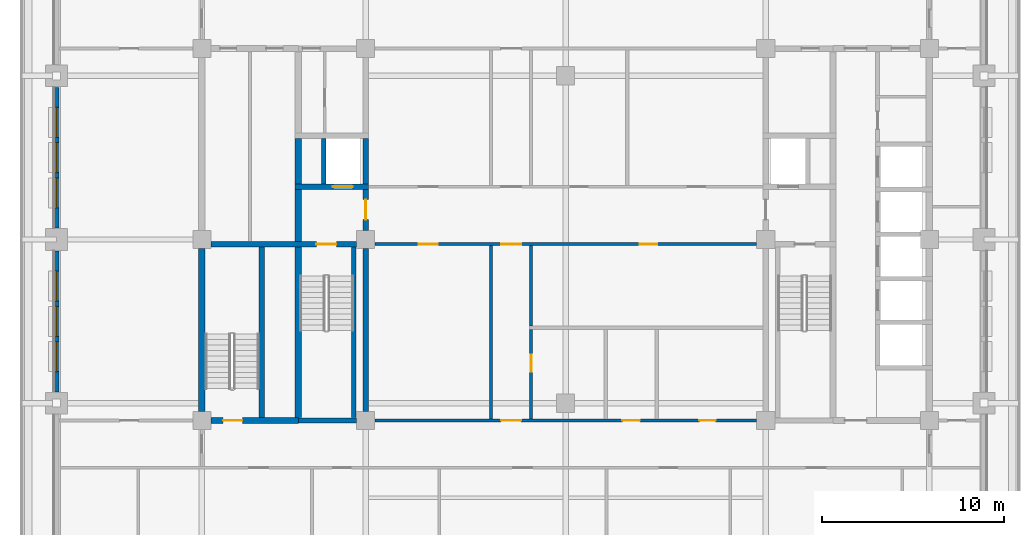
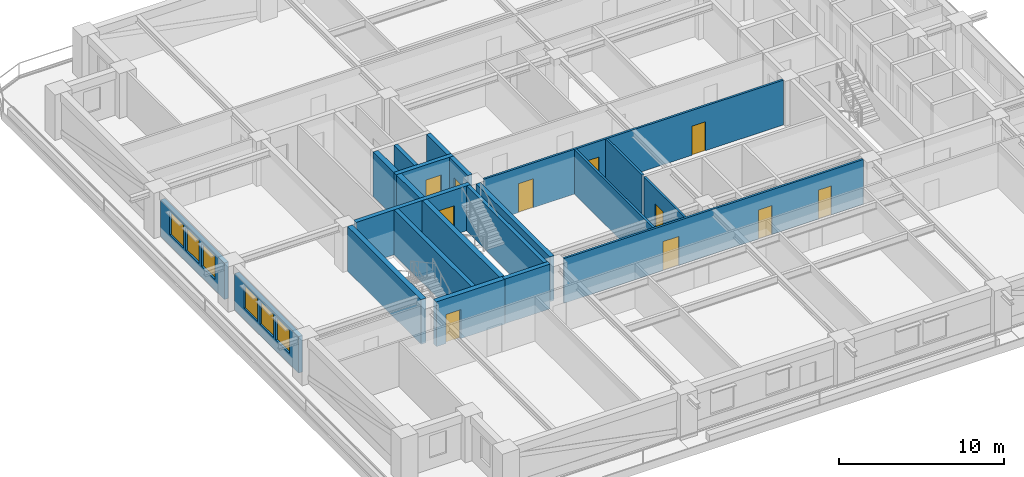
# One storey, part 3 of 16: 21 walls, 11 doors, 6 windows, 17 openings.
"""IFC4 building model written with IfcOpenShell, lengths in metres."""

import ifcopenshell
import ifcopenshell.guid

model = None  # the IFC model being written
_history = None  # IfcOwnerHistory: only IFC2X3 demands one
_inside = {}  # id of a spatial element -> (the spatial element, [elements in it])
_under = {}  # id of a project, library or spatial element -> (it, [spatial elements below it])
_declared = {}  # id of a project -> (the project, [libraries it declares])
_typed = {}  # id of a type object -> (the type object, [elements of that type])
_made_of = {}  # id of a material, layer set ... -> (it, [elements and type objects made of it])


def new_model(schema):
    """Start an empty IFC model of exactly this schema.

    Asked for "IFC4X3", IfcOpenShell would pick the latest addendum, in which some entities
    have other attributes; the version numbers below select the first issue.
    IFC2X3 requires an IfcOwnerHistory on every rooted entity: one is made here for all.
    """
    global model, _history
    if schema == "IFC4X3":
        model = ifcopenshell.file(schema_version=(4, 3, 0, 0))
    else:
        model = ifcopenshell.file(schema=schema)
    _inside.clear()
    _under.clear()
    _declared.clear()
    _typed.clear()
    _made_of.clear()
    _history = None
    if model.schema == "IFC2X3":
        org = make("IfcOrganization", Name="unknown")
        user = make(
            "IfcPersonAndOrganization",
            ThePerson=make("IfcPerson", FamilyName="unknown"),
            TheOrganization=org,
        )
        app = make(
            "IfcApplication",
            ApplicationDeveloper=org,
            Version="unknown",
            ApplicationFullName="unknown",
            ApplicationIdentifier="unknown",
        )
        _history = make(
            "IfcOwnerHistory",
            OwningUser=user,
            OwningApplication=app,
            ChangeAction="ADDED",
            CreationDate=0,
        )
    return model


def make(cls, **values):
    """One entity of the class cls with the attributes given. An attribute that is None is left unset."""
    return model.create_entity(
        cls, **{name: value for name, value in values.items() if value is not None}
    )


def rooted(cls, **values):
    """An entity with a GlobalId (a new one), such as an element, a storey or a relation."""
    return make(cls, GlobalId=ifcopenshell.guid.new(), OwnerHistory=_history, **values)


def si_unit(unit_type, name, prefix=None):
    """IfcSIUnit, for example si_unit("LENGTHUNIT", "METRE", prefix="MILLI")."""
    return make("IfcSIUnit", UnitType=unit_type, Prefix=prefix, Name=name)


def assignment(units):
    """IfcUnitAssignment: the units of a project."""
    return None if units is None else make("IfcUnitAssignment", Units=units)


def point(xyz):
    """IfcCartesianPoint."""
    return None if xyz is None else make("IfcCartesianPoint", Coordinates=xyz)


def direction(xyz):
    """IfcDirection."""
    return None if xyz is None else make("IfcDirection", DirectionRatios=xyz)


def frame(location, z_axis=None, x_axis=None):
    """IfcAxis2Placement3D, a coordinate frame: its origin and axes. An axis left out is left unset."""
    return make(
        "IfcAxis2Placement3D",
        Location=point(location),
        Axis=direction(z_axis),
        RefDirection=direction(x_axis),
    )


def frame_2d(location, x_axis=None):
    """IfcAxis2Placement2D, a coordinate frame in the plane: its origin and x axis."""
    return make(
        "IfcAxis2Placement2D", Location=point(location), RefDirection=direction(x_axis)
    )


def origin():
    """The frame at (0, 0, 0) with its axes left unset."""
    return frame((0.0, 0.0, 0.0))


def place(relative_to, where):
    """IfcLocalPlacement: puts the frame where relative to a parent placement (None: the world)."""
    return make(
        "IfcLocalPlacement", PlacementRelTo=relative_to, RelativePlacement=where
    )


def context(
    kind, dimensions, precision=None, world=None, true_north=None, identifier=None
):
    """IfcGeometricRepresentationContext, for example the 3D "Model" context."""
    return make(
        "IfcGeometricRepresentationContext",
        ContextIdentifier=identifier,
        ContextType=kind,
        CoordinateSpaceDimension=dimensions,
        Precision=precision,
        WorldCoordinateSystem=world,
        TrueNorth=true_north,
    )


def subcontext(parent, identifier, kind, view, scale=None):
    """IfcGeometricRepresentationSubContext, for example "Body" below "Model"."""
    return make(
        "IfcGeometricRepresentationSubContext",
        ContextIdentifier=identifier,
        ContextType=kind,
        ParentContext=parent,
        TargetScale=scale,
        TargetView=view,
    )


def project(units=None, contexts=None):
    """IfcProject with its units and contexts."""
    return rooted(
        "IfcProject",
        Name="project",
        RepresentationContexts=contexts,
        UnitsInContext=assignment(units),
    )


def spatial(cls, under=None, at=None, **own):
    """A site, building, storey or space (cls), placed at a placement, below another one or the project."""
    s = rooted(cls, ObjectPlacement=at, **own)
    if under is not None:
        _under.setdefault(under.id(), (under, []))[1].append(s)
    return s


def profile(cls, at=None, kind="AREA", **sizes):
    """A parametric profile (cls). Its sizes go by their IFC names, for example OverallWidth=200.0."""
    return make(cls, ProfileType=kind, Position=at, **sizes)


def rectangle(**sizes):
    """IfcRectangleProfileDef."""
    return profile("IfcRectangleProfileDef", **sizes)


def extrude(swept, where, along, depth):
    """IfcExtrudedAreaSolid: the profile swept, set in the frame where, extruded along a direction by depth."""
    return make(
        "IfcExtrudedAreaSolid",
        SweptArea=swept,
        Position=where,
        ExtrudedDirection=direction(along),
        Depth=depth,
    )


def shape(context_of_items, identifier, shape_type, items):
    """IfcShapeRepresentation: the items that make up one representation, for example the "Body"."""
    return make(
        "IfcShapeRepresentation",
        ContextOfItems=context_of_items,
        RepresentationIdentifier=identifier,
        RepresentationType=shape_type,
        Items=items,
    )


def material(Name=None, Category=None):
    """IfcMaterial."""
    return make("IfcMaterial", Name=Name, Category=Category)


def layer(
    of_material, thickness, ventilated=None, Name=None, Category=None, Priority=None
):
    """IfcMaterialLayer: one layer of a wall or slab, of a material (None: an air gap)."""
    return make(
        "IfcMaterialLayer",
        Material=of_material,
        LayerThickness=thickness,
        IsVentilated=ventilated,
        Name=Name,
        Category=Category,
        Priority=Priority,
    )


def layer_set(layers, Name=None):
    """IfcMaterialLayerSet."""
    return make("IfcMaterialLayerSet", MaterialLayers=layers, LayerSetName=Name)


def made_of(thing, what):
    """Note that an element or type object is made of a material, layer set ...; save() writes the relation."""
    if what is not None:
        _made_of.setdefault(what.id(), (what, []))[1].append(thing)
    return thing


def type_object(cls, material=None, **own):
    """A type object (cls), such as IfcWallType, which elements share."""
    return made_of(rooted(cls, **own), material)


def element(
    cls,
    number,
    at=None,
    inside=None,
    cuts=None,
    type_object=None,
    material=None,
    context=None,
    identifier="Body",
    shape_type=None,
    held_by="IfcProductDefinitionShape",
    body=None,
    shapes=None,
    **own,
):
    """One element of the class cls, such as IfcWall. Its Tag is "e" and its number.

    at: its placement. inside: the storey or other place that contains it. cuts: it is an
    opening in that element (IfcRelVoidsElement). A single representation is given by context,
    identifier, shape_type and body (its items); several are given by shapes. held_by: the class
    of the entity that holds the representations. save() writes the other relations.
    """
    e = rooted(cls, Tag="e%d" % number, ObjectPlacement=at, **own)
    if body is not None:
        shapes = [shape(context, identifier, shape_type, body)]
    if shapes is not None:
        e.Representation = make(held_by, Representations=shapes)
    if inside is not None:
        _inside.setdefault(inside.id(), (inside, []))[1].append(e)
    if cuts is not None:
        rooted(
            "IfcRelVoidsElement", RelatingBuildingElement=cuts, RelatedOpeningElement=e
        )
    if type_object is not None:
        _typed.setdefault(type_object.id(), (type_object, []))[1].append(e)
    return made_of(e, material)


def fill(opening, filler):
    """IfcRelFillsElement: the door or window that sits in an opening."""
    return rooted(
        "IfcRelFillsElement",
        RelatingOpeningElement=opening,
        RelatedBuildingElement=filler,
    )


def aggregate(whole, parts):
    """IfcRelAggregates: a whole, such as a stair, and the parts it consists of."""
    return rooted("IfcRelAggregates", RelatingObject=whole, RelatedObjects=parts)


def save(model, path):
    """Write the relations noted so far, then the file.

    IfcRelAggregates (storeys below a building ...), IfcRelContainedInSpatialStructure (elements
    in a storey), IfcRelDefinesByType, IfcRelAssociatesMaterial and IfcRelDeclares: one each for
    every whole, place, type object, material and project.
    """
    for whole, parts in _under.values():
        aggregate(whole, parts)
    for where, things in _inside.values():
        rooted(
            "IfcRelContainedInSpatialStructure",
            RelatedElements=things,
            RelatingStructure=where,
        )
    for kind, things in _typed.values():
        rooted("IfcRelDefinesByType", RelatedObjects=things, RelatingType=kind)
    for what, things in _made_of.values():
        rooted("IfcRelAssociatesMaterial", RelatedObjects=things, RelatingMaterial=what)
    for by, libraries in _declared.values():
        rooted("IfcRelDeclares", RelatingContext=by, RelatedDefinitions=libraries)
    model.write(path)


model = new_model("IFC4")

# Units and contexts
model_context = context("Model", 3, precision=1e-05, world=origin(), true_north=direction((0.0, 1.0)))
body_context = subcontext(model_context, "Body", "Model", "MODEL_VIEW")
ifc_project = project(units=[si_unit("LENGTHUNIT", "METRE"), si_unit("AREAUNIT", "SQUARE_METRE"), si_unit("VOLUMEUNIT", "CUBIC_METRE"), si_unit("PLANEANGLEUNIT", "RADIAN"), si_unit("MASSUNIT", "GRAM", prefix="KILO")], contexts=[model_context])

# Site, building, storey
site_placement = place(None, origin())
site = spatial("IfcSite", under=ifc_project, at=site_placement, CompositionType="ELEMENT")
building_placement = place(site_placement, origin())
building = spatial("IfcBuilding", under=site, at=building_placement, Name="Zulmaris Gate Convention Tower", CompositionType="ELEMENT")
storey_placement = place(building_placement, frame((0.0, 0.0, 124.919921875)))
storey = spatial("IfcBuildingStorey", under=building, at=storey_placement, Name="L31", CompositionType="ELEMENT", Elevation=124.919921875)

# Walls
ifc_material_1 = material(Name="Concrete C50/60", Category="concrete")
ifc_layer_1 = layer(ifc_material_1, 0.25, Name="Concrete C50/60")
ifc_layer_set_1 = layer_set([ifc_layer_1], Name="Concrete C50/60")
wall_type_1 = type_object("IfcWallType", Name="CORE-250", PredefinedType="SOLIDWALL", material=ifc_layer_set_1)
wall_1_placement = place(storey_placement, frame((-13.300048828125, 3.052001953125, 0.0), z_axis=(0.0, 0.0, 1.0), x_axis=(0.0, 1.0, 0.0)))
element("IfcWall", 1, at=wall_1_placement, inside=storey, type_object=wall_type_1, Name="WL-L31-041", PredefinedType="SOLIDWALL", context=body_context, shape_type="SweptSolid", body=[
    extrude(rectangle(XDim=2.49609375, YDim=0.25, at=frame_2d((1.248046875, 0.0))), origin(), (0.0, 0.0, 1.0), 3.31982421875),
])
wall_2_placement = place(storey_placement, frame((-11.64990234375, -9.798095703125, 0.0), z_axis=(0.0, 0.0, 1.0), x_axis=(0.0, 1.0, 0.0)))
element("IfcWall", 2, at=wall_2_placement, inside=storey, type_object=wall_type_1, Name="WL-L31-042", PredefinedType="SOLIDWALL", context=body_context, shape_type="SweptSolid", body=[
    extrude(rectangle(XDim=9.39599609375, YDim=0.25, at=frame_2d((4.697998046875, 0.0))), origin(), (0.0, 0.0, 1.0), 3.31982421875),
])
ifc_layer_2 = layer(ifc_material_1, 0.300048828125, Name="Concrete C50/60")
ifc_layer_set_2 = layer_set([ifc_layer_2], Name="Concrete C50/60")
wall_type_2 = type_object("IfcWallType", Name="CORE-300", PredefinedType="SHEAR", material=ifc_layer_set_2)
wall_3_placement = place(storey_placement, frame((-14.699951171875, -9.949951171875, 0.0), z_axis=(0.0, 0.0, 1.0), x_axis=(1.0, 0.0, 0.0)))
element("IfcWall", 3, at=wall_3_placement, inside=storey, type_object=wall_type_2, Name="WL-L31-002", PredefinedType="SHEAR", context=body_context, shape_type="SweptSolid", body=[
    extrude(rectangle(XDim=3.196044921875, YDim=0.300048828125, at=frame_2d((1.59814453125, 0.0))), origin(), (0.0, 0.0, 1.0), 3.31982421875),
])

# Wall, opening, door
wall_4_placement = place(storey_placement, frame((-19.49609375, -0.25, 0.0), z_axis=(0.0, 0.0, 1.0), x_axis=(1.0, 0.0, 0.0)))
wall_4 = element("IfcWall", 4, at=wall_4_placement, inside=storey, type_object=wall_type_2, Name="WL-L31-008", PredefinedType="SHEAR", context=body_context, shape_type="SweptSolid", body=[
    extrude(rectangle(XDim=7.9921875, YDim=0.300048828125, at=frame_2d((3.99609375, 0.0))), origin(), (0.0, 0.0, 1.0), 3.31982421875),
])
opening_1_placement = place(wall_4_placement, frame((5.7958984375, 0.0, 0.0)))
opening_1 = element("IfcOpeningElement", 5, at=opening_1_placement, cuts=wall_4, Name="Opening D-08", PredefinedType="OPENING", context=body_context, shape_type="SweptSolid", body=[
    extrude(rectangle(XDim=1.10009765625, YDim=2.14990234375, at=frame_2d((0.550048828125, 1.074951171875))), frame((0.0, 0.16015625, 0.0), z_axis=(0.0, -1.0, 0.0), x_axis=(1.0, 0.0, 0.0)), (0.0, 0.0, 1.0), 0.320068359375),
])
ifc_material_2 = material(Name="Fire-Rated Steel", Category="steel")
door_type_1 = type_object("IfcDoorType", Name="DR-1100-FD", OperationType="NOTDEFINED", PredefinedType="DOOR", material=ifc_material_2)
door_1_placement = place(opening_1_placement, origin())
door_1 = element("IfcDoor", 6, at=door_1_placement, inside=storey, type_object=door_type_1, Name="L31 Exit Stair ST-1 Door 01", OperationType="SINGLE_SWING_LEFT", OverallHeight=2.14990234375, OverallWidth=1.10009765625, PredefinedType="DOOR", context=body_context, shape_type="SweptSolid", body=[
    extrude(rectangle(XDim=1.10009765625, YDim=2.14990234375, at=frame_2d((0.550048828125, 1.074951171875))), frame((0.0, 0.02490234375, 0.0), z_axis=(0.0, -1.0, 0.0), x_axis=(1.0, 0.0, 0.0)), (0.0, 0.0, 1.0), 0.050048828125),
])
fill(opening_1, door_1)

wall_5_placement = place(storey_placement, frame((-14.875, 2.89990234375, 0.0), z_axis=(0.0, 0.0, 1.0), x_axis=(1.0, 0.0, 0.0)))
wall_5 = element("IfcWall", 7, at=wall_5_placement, inside=storey, type_object=wall_type_2, Name="WL-L31-012", PredefinedType="SHEAR", context=body_context, shape_type="SweptSolid", body=[
    extrude(rectangle(XDim=4.02490234375, YDim=0.300048828125, at=frame_2d((2.012451171875, 0.0))), origin(), (0.0, 0.0, 1.0), 3.31982421875),
])
opening_2_placement = place(wall_5_placement, frame((2.074951171875, 0.0, 0.0)))
opening_2 = element("IfcOpeningElement", 8, at=opening_2_placement, cuts=wall_5, Name="Opening D-06", PredefinedType="OPENING", context=body_context, shape_type="SweptSolid", body=[
    extrude(rectangle(XDim=1.10009765625, YDim=2.199951171875, at=frame_2d((0.550048828125, 1.10009765625))), frame((0.0, 0.16015625, 0.0), z_axis=(0.0, -1.0, 0.0), x_axis=(1.0, 0.0, 0.0)), (0.0, 0.0, 1.0), 0.320068359375),
])
ifc_material_3 = material(Name="Brushed Stainless Steel", Category="steel")
door_type_2 = type_object("IfcDoorType", Name="LD-1100", OperationType="NOTDEFINED", PredefinedType="DOOR", material=ifc_material_3)
door_2_placement = place(opening_2_placement, origin())
door_2 = element("IfcDoor", 9, at=door_2_placement, inside=storey, type_object=door_type_2, Name="L31 Lift Landing Door LF-01 03", OperationType="SLIDING_TO_LEFT", OverallHeight=2.199951171875, OverallWidth=1.10009765625, PredefinedType="DOOR", context=body_context, shape_type="SweptSolid", body=[
    extrude(rectangle(XDim=1.10009765625, YDim=2.199951171875, at=frame_2d((0.550048828125, 1.10009765625))), frame((0.0, 0.02490234375, 0.0), z_axis=(0.0, -1.0, 0.0), x_axis=(1.0, 0.0, 0.0)), (0.0, 0.0, 1.0), 0.050048828125),
])
fill(opening_2, door_2)

# Walls
wall_6_placement = place(storey_placement, frame((-16.699951171875, -9.77294921875, 0.0), z_axis=(0.0, 0.0, 1.0), x_axis=(0.0, 1.0, 0.0)))
element("IfcWall", 10, at=wall_6_placement, inside=storey, type_object=wall_type_2, Name="WL-L31-036", PredefinedType="SHEAR", context=body_context, shape_type="SweptSolid", body=[
    extrude(rectangle(XDim=9.370849609375, YDim=0.300048828125, at=frame_2d((4.685546875, 0.0))), origin(), (0.0, 0.0, 1.0), 3.31982421875),
])
wall_7_placement = place(storey_placement, frame((-11.0, -9.446044921875, 0.0), z_axis=(0.0, 0.0, 1.0), x_axis=(0.0, 1.0, 0.0)))
element("IfcWall", 11, at=wall_7_placement, inside=storey, type_object=wall_type_2, Name="WL-L31-043", PredefinedType="SHEAR", context=body_context, shape_type="SweptSolid", body=[
    extrude(rectangle(XDim=8.942138671875, YDim=0.300048828125, at=frame_2d((4.47119140625, 0.0))), origin(), (0.0, 0.0, 1.0), 3.31982421875),
])

# Wall, opening, door
wall_8_placement = place(storey_placement, frame((-11.0, 0.50390625, 0.0), z_axis=(0.0, 0.0, 1.0), x_axis=(0.0, 1.0, 0.0)))
wall_8 = element("IfcWall", 12, at=wall_8_placement, inside=storey, type_object=wall_type_2, Name="WL-L31-044", PredefinedType="SHEAR", context=body_context, shape_type="SweptSolid", body=[
    extrude(rectangle(XDim=2.244140625, YDim=0.300048828125, at=frame_2d((1.1220703125, 0.0))), origin(), (0.0, 0.0, 1.0), 3.31982421875),
])
opening_3_placement = place(wall_8_placement, frame((0.595947265625, 0.0, 0.0)))
opening_3 = element("IfcOpeningElement", 13, at=opening_3_placement, cuts=wall_8, Name="Opening D-08", PredefinedType="OPENING", context=body_context, shape_type="SweptSolid", body=[
    extrude(rectangle(XDim=1.10009765625, YDim=2.14990234375, at=frame_2d((0.550048828125, 1.074951171875))), frame((0.0, 0.16015625, 0.0), z_axis=(0.0, -1.0, 0.0), x_axis=(1.0, 0.0, 0.0)), (0.0, 0.0, 1.0), 0.320068359375),
])
door_3_placement = place(opening_3_placement, origin())
door_3 = element("IfcDoor", 14, at=door_3_placement, inside=storey, type_object=door_type_1, Name="L31 West Firefighting Lobby Door 02", OperationType="SINGLE_SWING_RIGHT", OverallHeight=2.14990234375, OverallWidth=1.10009765625, PredefinedType="DOOR", context=body_context, shape_type="SweptSolid", body=[
    extrude(rectangle(XDim=1.10009765625, YDim=2.14990234375, at=frame_2d((0.550048828125, 1.074951171875))), frame((0.0, 0.02490234375, 0.0), z_axis=(0.0, -1.0, 0.0), x_axis=(1.0, 0.0, 0.0)), (0.0, 0.0, 1.0), 0.050048828125),
])
fill(opening_3, door_3)

# Wall
wall_9_placement = place(storey_placement, frame((-11.0, 3.052001953125, 0.0), z_axis=(0.0, 0.0, 1.0), x_axis=(0.0, 1.0, 0.0)))
element("IfcWall", 15, at=wall_9_placement, inside=storey, type_object=wall_type_2, Name="WL-L31-045", PredefinedType="SHEAR", context=body_context, shape_type="SweptSolid", body=[
    extrude(rectangle(XDim=2.49609375, YDim=0.300048828125, at=frame_2d((1.248046875, 0.0))), origin(), (0.0, 0.0, 1.0), 3.31982421875),
])

# Wall, opening, door
ifc_material_4 = material(Name="Concrete C55/67", Category="concrete")
ifc_layer_3 = layer(ifc_material_4, 0.35009765625, Name="Concrete C55/67")
ifc_layer_set_3 = layer_set([ifc_layer_3], Name="Concrete C55/67")
wall_type_3 = type_object("IfcWallType", Name="CORE-350", PredefinedType="SHEAR", material=ifc_layer_set_3)
wall_10_placement = place(storey_placement, frame((-19.49609375, -9.949951171875, 0.0), z_axis=(0.0, 0.0, 1.0), x_axis=(1.0, 0.0, 0.0)))
wall_10 = element("IfcWall", 16, at=wall_10_placement, inside=storey, type_object=wall_type_3, Name="WL-L31-001", PredefinedType="SHEAR", context=body_context, shape_type="SweptSolid", body=[
    extrude(rectangle(XDim=4.796142578125, YDim=0.35009765625, at=frame_2d((2.39794921875, 0.0))), origin(), (0.0, 0.0, 1.0), 3.31982421875),
])
opening_4_placement = place(wall_10_placement, frame((0.6708984375, 0.0, 0.0)))
opening_4 = element("IfcOpeningElement", 17, at=opening_4_placement, cuts=wall_10, Name="Opening D-09", PredefinedType="OPENING", context=body_context, shape_type="SweptSolid", body=[
    extrude(rectangle(XDim=1.050048828125, YDim=2.14990234375, at=frame_2d((0.52490234375, 1.074951171875))), frame((0.0, 0.18505859375, 0.0), z_axis=(0.0, -1.0, 0.0), x_axis=(1.0, 0.0, 0.0)), (0.0, 0.0, 1.0), 0.3701171875),
])
door_type_3 = type_object("IfcDoorType", Name="DR-1050-FD", OperationType="NOTDEFINED", PredefinedType="DOOR", material=ifc_material_2)
door_4_placement = place(opening_4_placement, origin())
door_4 = element("IfcDoor", 18, at=door_4_placement, inside=storey, type_object=door_type_3, Name="L31 Exit Stair ST-3 Door 10", OperationType="SINGLE_SWING_RIGHT", OverallHeight=2.14990234375, OverallWidth=1.050048828125, PredefinedType="DOOR", context=body_context, shape_type="SweptSolid", body=[
    extrude(rectangle(XDim=1.050048828125, YDim=2.14990234375, at=frame_2d((0.52490234375, 1.074951171875))), frame((0.0, 0.02490234375, 0.0), z_axis=(0.0, -1.0, 0.0), x_axis=(1.0, 0.0, 0.0)), (0.0, 0.0, 1.0), 0.050048828125),
])
fill(opening_4, door_4)

# Walls
wall_11_placement = place(storey_placement, frame((-20.0, -9.446044921875, 0.0), z_axis=(0.0, 0.0, 1.0), x_axis=(0.0, 1.0, 0.0)))
element("IfcWall", 19, at=wall_11_placement, inside=storey, type_object=wall_type_3, Name="WL-L31-034", PredefinedType="SHEAR", context=body_context, shape_type="SweptSolid", body=[
    extrude(rectangle(XDim=8.942138671875, YDim=0.35009765625, at=frame_2d((4.47119140625, 0.0))), origin(), (0.0, 0.0, 1.0), 3.31982421875),
])
wall_12_placement = place(storey_placement, frame((-14.699951171875, -9.77294921875, 0.0), z_axis=(0.0, 0.0, 1.0), x_axis=(0.0, 1.0, 0.0)))
element("IfcWall", 20, at=wall_12_placement, inside=storey, type_object=wall_type_3, Name="WL-L31-037", PredefinedType="SHEAR", context=body_context, shape_type="SweptSolid", body=[
    extrude(rectangle(XDim=9.370849609375, YDim=0.35009765625, at=frame_2d((4.685546875, 0.0))), origin(), (0.0, 0.0, 1.0), 3.31982421875),
])
wall_13_placement = place(storey_placement, frame((-14.699951171875, -0.097900390625, 0.0), z_axis=(0.0, 0.0, 1.0), x_axis=(0.0, 1.0, 0.0)))
element("IfcWall", 21, at=wall_13_placement, inside=storey, type_object=wall_type_3, Name="WL-L31-038", PredefinedType="SHEAR", context=body_context, shape_type="SweptSolid", body=[
    extrude(rectangle(XDim=2.845947265625, YDim=0.35009765625, at=frame_2d((1.4228515625, 0.0))), origin(), (0.0, 0.0, 1.0), 3.31982421875),
])
wall_14_placement = place(storey_placement, frame((-14.699951171875, 3.052001953125, 0.0), z_axis=(0.0, 0.0, 1.0), x_axis=(0.0, 1.0, 0.0)))
element("IfcWall", 22, at=wall_14_placement, inside=storey, type_object=wall_type_3, Name="WL-L31-039", PredefinedType="SHEAR", context=body_context, shape_type="SweptSolid", body=[
    extrude(rectangle(XDim=2.49609375, YDim=0.35009765625, at=frame_2d((1.248046875, 0.0))), origin(), (0.0, 0.0, 1.0), 3.31982421875),
])

# Wall, openings, doors
ifc_material_5 = material(Name="Gypsum Metal Stud Partition")
ifc_layer_4 = layer(ifc_material_5, 0.14990234375, Name="Gypsum Metal Stud Partition")
ifc_layer_set_4 = layer_set([ifc_layer_4], Name="Gypsum Metal Stud Partition")
wall_type_4 = type_object("IfcWallType", Name="PART-150", PredefinedType="PARTITIONING", material=ifc_layer_set_4)
wall_15_placement = place(storey_placement, frame((-10.493896484375, -9.949951171875, 0.0), z_axis=(0.0, 0.0, 1.0), x_axis=(1.0, 0.0, 0.0)))
wall_15 = element("IfcWall", 23, at=wall_15_placement, inside=storey, type_object=wall_type_4, Name="WL-L31-023", PredefinedType="PARTITIONING", context=body_context, shape_type="SweptSolid", body=[
    extrude(rectangle(XDim=20.98779296875, YDim=0.14990234375, at=frame_2d((10.493896484375, 0.0))), origin(), (0.0, 0.0, 1.0), 3.31982421875),
])
opening_5_placement = place(wall_15_placement, frame((6.944091796875, 0.0, 0.0)))
opening_5 = element("IfcOpeningElement", 24, at=opening_5_placement, cuts=wall_15, Name="Opening D-08", PredefinedType="OPENING", context=body_context, shape_type="SweptSolid", body=[
    extrude(rectangle(XDim=1.10009765625, YDim=2.14990234375, at=frame_2d((0.550048828125, 1.074951171875))), frame((0.0, 0.0849609375, 0.0), z_axis=(0.0, -1.0, 0.0), x_axis=(1.0, 0.0, 0.0)), (0.0, 0.0, 1.0), 0.169921875),
])
opening_6_placement = place(wall_15_placement, frame((13.618896484375, 0.0, 0.0)))
opening_6 = element("IfcOpeningElement", 25, at=opening_6_placement, cuts=wall_15, Name="Opening D-11", PredefinedType="OPENING", context=body_context, shape_type="SweptSolid", body=[
    extrude(rectangle(XDim=0.949951171875, YDim=2.14990234375, at=frame_2d((0.47509765625, 1.074951171875))), frame((0.0, 0.0849609375, 0.0), z_axis=(0.0, -1.0, 0.0), x_axis=(1.0, 0.0, 0.0)), (0.0, 0.0, 1.0), 0.169921875),
])
opening_7_placement = place(wall_15_placement, frame((17.843994140625, 0.0, 0.0)))
opening_7 = element("IfcOpeningElement", 26, at=opening_7_placement, cuts=wall_15, Name="Opening D-12", PredefinedType="OPENING", context=body_context, shape_type="SweptSolid", body=[
    extrude(rectangle(XDim=0.89990234375, YDim=2.14990234375, at=frame_2d((0.449951171875, 1.074951171875))), frame((0.0, 0.0849609375, 0.0), z_axis=(0.0, -1.0, 0.0), x_axis=(1.0, 0.0, 0.0)), (0.0, 0.0, 1.0), 0.169921875),
])
door_5_placement = place(opening_5_placement, origin())
door_5 = element("IfcDoor", 27, at=door_5_placement, inside=storey, type_object=door_type_1, Name="L31 South Gallery Link Door 22", OperationType="SINGLE_SWING_RIGHT", OverallHeight=2.14990234375, OverallWidth=1.10009765625, PredefinedType="DOOR", context=body_context, shape_type="SweptSolid", body=[
    extrude(rectangle(XDim=1.10009765625, YDim=2.14990234375, at=frame_2d((0.550048828125, 1.074951171875))), frame((0.0, 0.02490234375, 0.0), z_axis=(0.0, -1.0, 0.0), x_axis=(1.0, 0.0, 0.0)), (0.0, 0.0, 1.0), 0.050048828125),
])
fill(opening_5, door_5)
ifc_material_6 = material(Name="Fire-Rated Timber", Category="wood")
door_type_4 = type_object("IfcDoorType", Name="DR-900-FD", OperationType="NOTDEFINED", PredefinedType="DOOR", material=ifc_material_6)
door_6_placement = place(opening_7_placement, origin())
door_6 = element("IfcDoor", 28, at=door_6_placement, inside=storey, type_object=door_type_4, Name="L31 Reprographics Office Door 40", OperationType="SINGLE_SWING_RIGHT", OverallHeight=2.14990234375, OverallWidth=0.89990234375, PredefinedType="DOOR", context=body_context, shape_type="SweptSolid", body=[
    extrude(rectangle(XDim=0.89990234375, YDim=2.14990234375, at=frame_2d((0.449951171875, 1.074951171875))), frame((0.0, 0.02490234375, 0.0), z_axis=(0.0, -1.0, 0.0), x_axis=(1.0, 0.0, 0.0)), (0.0, 0.0, 1.0), 0.050048828125),
])
fill(opening_7, door_6)
door_type_5 = type_object("IfcDoorType", Name="DR-950-FD", OperationType="NOTDEFINED", PredefinedType="DOOR", material=ifc_material_6)
door_7_placement = place(opening_6_placement, origin())
door_7 = element("IfcDoor", 29, at=door_7_placement, inside=storey, type_object=door_type_5, Name="L31 Accessible WC Door 39", OperationType="SINGLE_SWING_LEFT", OverallHeight=2.14990234375, OverallWidth=0.949951171875, PredefinedType="DOOR", context=body_context, shape_type="SweptSolid", body=[
    extrude(rectangle(XDim=0.949951171875, YDim=2.14990234375, at=frame_2d((0.47509765625, 1.074951171875))), frame((0.0, 0.02490234375, 0.0), z_axis=(0.0, -1.0, 0.0), x_axis=(1.0, 0.0, 0.0)), (0.0, 0.0, 1.0), 0.050048828125),
])
fill(opening_6, door_7)

wall_16_placement = place(storey_placement, frame((-10.493896484375, -0.25, 0.0), z_axis=(0.0, 0.0, 1.0), x_axis=(1.0, 0.0, 0.0)))
wall_16 = element("IfcWall", 30, at=wall_16_placement, inside=storey, type_object=wall_type_4, Name="WL-L31-026", PredefinedType="PARTITIONING", context=body_context, shape_type="SweptSolid", body=[
    extrude(rectangle(XDim=20.98779296875, YDim=0.14990234375, at=frame_2d((10.493896484375, 0.0))), origin(), (0.0, 0.0, 1.0), 3.31982421875),
])
opening_8_placement = place(wall_16_placement, frame((6.944091796875, 0.0, 0.0)))
opening_8 = element("IfcOpeningElement", 31, at=opening_8_placement, cuts=wall_16, Name="Opening D-08", PredefinedType="OPENING", context=body_context, shape_type="SweptSolid", body=[
    extrude(rectangle(XDim=1.10009765625, YDim=2.14990234375, at=frame_2d((0.550048828125, 1.074951171875))), frame((0.0, 0.0849609375, 0.0), z_axis=(0.0, -1.0, 0.0), x_axis=(1.0, 0.0, 0.0)), (0.0, 0.0, 1.0), 0.169921875),
])
opening_9_placement = place(wall_16_placement, frame((2.4189453125, 0.0, 0.0)))
opening_9 = element("IfcOpeningElement", 32, at=opening_9_placement, cuts=wall_16, Name="Opening D-09", PredefinedType="OPENING", context=body_context, shape_type="SweptSolid", body=[
    extrude(rectangle(XDim=1.050048828125, YDim=2.14990234375, at=frame_2d((0.52490234375, 1.074951171875))), frame((0.0, 0.0849609375, 0.0), z_axis=(0.0, -1.0, 0.0), x_axis=(1.0, 0.0, 0.0)), (0.0, 0.0, 1.0), 0.169921875),
])
opening_10_placement = place(wall_16_placement, frame((14.569091796875, 0.0, 0.0)))
opening_10 = element("IfcOpeningElement", 33, at=opening_10_placement, cuts=wall_16, Name="Opening D-11", PredefinedType="OPENING", context=body_context, shape_type="SweptSolid", body=[
    extrude(rectangle(XDim=0.949951171875, YDim=2.14990234375, at=frame_2d((0.47509765625, 1.074951171875))), frame((0.0, 0.0849609375, 0.0), z_axis=(0.0, -1.0, 0.0), x_axis=(1.0, 0.0, 0.0)), (0.0, 0.0, 1.0), 0.169921875),
])
door_8_placement = place(opening_9_placement, origin())
door_8 = element("IfcDoor", 34, at=door_8_placement, inside=storey, type_object=door_type_3, Name="L31 Sky Library Door 36", OperationType="SINGLE_SWING_RIGHT", OverallHeight=2.14990234375, OverallWidth=1.050048828125, PredefinedType="DOOR", context=body_context, shape_type="SweptSolid", body=[
    extrude(rectangle(XDim=1.050048828125, YDim=2.14990234375, at=frame_2d((0.52490234375, 1.074951171875))), frame((0.0, 0.02490234375, 0.0), z_axis=(0.0, -1.0, 0.0), x_axis=(1.0, 0.0, 0.0)), (0.0, 0.0, 1.0), 0.050048828125),
])
fill(opening_9, door_8)
door_9_placement = place(opening_8_placement, origin())
door_9 = element("IfcDoor", 35, at=door_9_placement, inside=storey, type_object=door_type_1, Name="L31 Cross Spine South Door 24", OperationType="SINGLE_SWING_RIGHT", OverallHeight=2.14990234375, OverallWidth=1.10009765625, PredefinedType="DOOR", context=body_context, shape_type="SweptSolid", body=[
    extrude(rectangle(XDim=1.10009765625, YDim=2.14990234375, at=frame_2d((0.550048828125, 1.074951171875))), frame((0.0, 0.02490234375, 0.0), z_axis=(0.0, -1.0, 0.0), x_axis=(1.0, 0.0, 0.0)), (0.0, 0.0, 1.0), 0.050048828125),
])
fill(opening_8, door_9)
door_10_placement = place(opening_10_placement, origin())
door_10 = element("IfcDoor", 36, at=door_10_placement, inside=storey, type_object=door_type_5, Name="L31 Public WC Door 37", OperationType="SINGLE_SWING_LEFT", OverallHeight=2.14990234375, OverallWidth=0.949951171875, PredefinedType="DOOR", context=body_context, shape_type="SweptSolid", body=[
    extrude(rectangle(XDim=0.949951171875, YDim=2.14990234375, at=frame_2d((0.47509765625, 1.074951171875))), frame((0.0, 0.02490234375, 0.0), z_axis=(0.0, -1.0, 0.0), x_axis=(1.0, 0.0, 0.0)), (0.0, 0.0, 1.0), 0.050048828125),
])
fill(opening_10, door_10)

# Wall
wall_17_placement = place(storey_placement, frame((-4.10009765625, -9.8720703125, 0.0), z_axis=(0.0, 0.0, 1.0), x_axis=(0.0, 1.0, 0.0)))
element("IfcWall", 37, at=wall_17_placement, inside=storey, type_object=wall_type_4, Name="WL-L31-078", PredefinedType="PARTITIONING", context=body_context, shape_type="SweptSolid", body=[
    extrude(rectangle(XDim=9.544189453125, YDim=0.14990234375, at=frame_2d((4.77197265625, 0.0))), origin(), (0.0, 0.0, 1.0), 3.31982421875),
])

# Wall, opening, door
wall_18_placement = place(storey_placement, frame((-1.89990234375, -9.8720703125, 0.0), z_axis=(0.0, 0.0, 1.0), x_axis=(0.0, 1.0, 0.0)))
wall_18 = element("IfcWall", 38, at=wall_18_placement, inside=storey, type_object=wall_type_4, Name="WL-L31-080", PredefinedType="PARTITIONING", context=body_context, shape_type="SweptSolid", body=[
    extrude(rectangle(XDim=4.919189453125, YDim=0.14990234375, at=frame_2d((2.45947265625, 0.0))), origin(), (0.0, 0.0, 1.0), 3.31982421875),
])
opening_11_placement = place(wall_18_placement, frame((2.596923828125, 0.0, 0.0)))
opening_11 = element("IfcOpeningElement", 39, at=opening_11_placement, cuts=wall_18, Name="Opening D-11", PredefinedType="OPENING", context=body_context, shape_type="SweptSolid", body=[
    extrude(rectangle(XDim=0.949951171875, YDim=2.14990234375, at=frame_2d((0.47509765625, 1.074951171875))), frame((0.0, 0.0849609375, 0.0), z_axis=(0.0, -1.0, 0.0), x_axis=(1.0, 0.0, 0.0)), (0.0, 0.0, 1.0), 0.169921875),
])
door_11_placement = place(opening_11_placement, origin())
door_11 = element("IfcDoor", 40, at=door_11_placement, inside=storey, type_object=door_type_5, Name="L31 Hygiene Supply Door 38", OperationType="SINGLE_SWING_RIGHT", OverallHeight=2.14990234375, OverallWidth=0.949951171875, PredefinedType="DOOR", context=body_context, shape_type="SweptSolid", body=[
    extrude(rectangle(XDim=0.949951171875, YDim=2.14990234375, at=frame_2d((0.47509765625, 1.074951171875))), frame((0.0, 0.02490234375, 0.0), z_axis=(0.0, -1.0, 0.0), x_axis=(1.0, 0.0, 0.0)), (0.0, 0.0, 1.0), 0.050048828125),
])
fill(opening_11, door_11)

# Wall
wall_19_placement = place(storey_placement, frame((-1.89990234375, -4.7470703125, 0.0), z_axis=(0.0, 0.0, 1.0), x_axis=(0.0, 1.0, 0.0)))
element("IfcWall", 41, at=wall_19_placement, inside=storey, type_object=wall_type_4, Name="WL-L31-081", PredefinedType="PARTITIONING", context=body_context, shape_type="SweptSolid", body=[
    extrude(rectangle(XDim=4.419189453125, YDim=0.14990234375, at=frame_2d((2.20947265625, 0.0))), origin(), (0.0, 0.0, 1.0), 3.31982421875),
])

# Wall, openings, windows
ifc_material_7 = material(Name="Precast concrete C40/50", Category="concrete")
ifc_layer_5 = layer(ifc_material_7, 0.300048828125, Name="Precast concrete C40/50")
ifc_layer_set_5 = layer_set([ifc_layer_5], Name="Precast concrete C40/50")
wall_type_5 = type_object("IfcWallType", Name="PRECAST-PIER-300", PredefinedType="STANDARD", material=ifc_layer_set_5)
wall_20_placement = place(storey_placement, frame((-28.0, -0.6298828125, 0.0), z_axis=(0.0, 0.0, 1.0), x_axis=(0.0, -1.0, 0.0)))
wall_20 = element("IfcWall", 42, at=wall_20_placement, inside=storey, type_object=wall_type_5, Name="EW-L31-W-1_0", PredefinedType="STANDARD", context=body_context, shape_type="SweptSolid", body=[
    extrude(rectangle(XDim=7.740234375, YDim=0.300048828125, at=frame_2d((3.8701171875, 0.0))), origin(), (0.0, 0.0, 1.0), 2.711669921875),
])
opening_12_placement = place(wall_20_placement, frame((1.110107421875, 0.0, 0.800048828125)))
opening_12 = element("IfcOpeningElement", 43, at=opening_12_placement, cuts=wall_20, Name="Opening W-08", PredefinedType="OPENING", context=body_context, shape_type="SweptSolid", body=[
    extrude(rectangle(XDim=1.64990234375, YDim=1.699951171875, at=frame_2d((0.824951171875, 0.85009765625))), frame((0.0, 0.16015625, 0.0), z_axis=(0.0, -1.0, 0.0), x_axis=(1.0, 0.0, 0.0)), (0.0, 0.0, 1.0), 0.320068359375),
])
opening_13_placement = place(wall_20_placement, frame((3.044921875, 0.0, 0.800048828125)))
opening_13 = element("IfcOpeningElement", 44, at=opening_13_placement, cuts=wall_20, Name="Opening W-08", PredefinedType="OPENING", context=body_context, shape_type="SweptSolid", body=[
    extrude(rectangle(XDim=1.64990234375, YDim=1.699951171875, at=frame_2d((0.824951171875, 0.85009765625))), frame((0.0, 0.16015625, 0.0), z_axis=(0.0, -1.0, 0.0), x_axis=(1.0, 0.0, 0.0)), (0.0, 0.0, 1.0), 0.320068359375),
])
opening_14_placement = place(wall_20_placement, frame((4.97998046875, 0.0, 0.800048828125)))
opening_14 = element("IfcOpeningElement", 45, at=opening_14_placement, cuts=wall_20, Name="Opening W-08", PredefinedType="OPENING", context=body_context, shape_type="SweptSolid", body=[
    extrude(rectangle(XDim=1.64990234375, YDim=1.699951171875, at=frame_2d((0.824951171875, 0.85009765625))), frame((0.0, 0.16015625, 0.0), z_axis=(0.0, -1.0, 0.0), x_axis=(1.0, 0.0, 0.0)), (0.0, 0.0, 1.0), 0.320068359375),
])
ifc_material_8 = material(Name="Low-E Laminated Double Glazing in Aluminium Frame", Category="aluminium")
window_type = type_object("IfcWindowType", Name="WIN-1650x2150", PartitioningType="SINGLE_PANEL", PredefinedType="WINDOW", material=ifc_material_8)
window_1_placement = place(opening_12_placement, origin())
window_1 = element("IfcWindow", 46, at=window_1_placement, inside=storey, type_object=window_type, Name="WN-EW-L31-W-1_0-1", OverallHeight=1.699951171875, OverallWidth=1.64990234375, PartitioningType="SINGLE_PANEL", PredefinedType="WINDOW", context=body_context, shape_type="SweptSolid", body=[
    extrude(rectangle(XDim=1.64990234375, YDim=1.699951171875, at=frame_2d((0.824951171875, 0.85009765625))), frame((0.0, 0.030029296875, 0.0), z_axis=(0.0, -1.0, 0.0), x_axis=(1.0, 0.0, 0.0)), (0.0, 0.0, 1.0), 0.06005859375),
])
fill(opening_12, window_1)
window_2_placement = place(opening_13_placement, origin())
window_2 = element("IfcWindow", 47, at=window_2_placement, inside=storey, type_object=window_type, Name="WN-EW-L31-W-1_0-2", OverallHeight=1.699951171875, OverallWidth=1.64990234375, PartitioningType="SINGLE_PANEL", PredefinedType="WINDOW", context=body_context, shape_type="SweptSolid", body=[
    extrude(rectangle(XDim=1.64990234375, YDim=1.699951171875, at=frame_2d((0.824951171875, 0.85009765625))), frame((0.0, 0.030029296875, 0.0), z_axis=(0.0, -1.0, 0.0), x_axis=(1.0, 0.0, 0.0)), (0.0, 0.0, 1.0), 0.06005859375),
])
fill(opening_13, window_2)
window_3_placement = place(opening_14_placement, origin())
window_3 = element("IfcWindow", 48, at=window_3_placement, inside=storey, type_object=window_type, Name="WN-EW-L31-W-1_0-3", OverallHeight=1.699951171875, OverallWidth=1.64990234375, PartitioningType="SINGLE_PANEL", PredefinedType="WINDOW", context=body_context, shape_type="SweptSolid", body=[
    extrude(rectangle(XDim=1.64990234375, YDim=1.699951171875, at=frame_2d((0.824951171875, 0.85009765625))), frame((0.0, 0.030029296875, 0.0), z_axis=(0.0, -1.0, 0.0), x_axis=(1.0, 0.0, 0.0)), (0.0, 0.0, 1.0), 0.06005859375),
])
fill(opening_14, window_3)

wall_21_placement = place(storey_placement, frame((-28.0, 8.3701171875, 0.0), z_axis=(0.0, 0.0, 1.0), x_axis=(0.0, -1.0, 0.0)))
wall_21 = element("IfcWall", 49, at=wall_21_placement, inside=storey, type_object=wall_type_5, Name="EW-L31-W-2_0", PredefinedType="STANDARD", context=body_context, shape_type="SweptSolid", body=[
    extrude(rectangle(XDim=7.740234375, YDim=0.300048828125, at=frame_2d((3.8701171875, 0.0))), origin(), (0.0, 0.0, 1.0), 2.711669921875),
])
opening_15_placement = place(wall_21_placement, frame((1.110107421875, 0.0, 0.800048828125)))
opening_15 = element("IfcOpeningElement", 50, at=opening_15_placement, cuts=wall_21, Name="Opening W-08", PredefinedType="OPENING", context=body_context, shape_type="SweptSolid", body=[
    extrude(rectangle(XDim=1.64990234375, YDim=1.699951171875, at=frame_2d((0.824951171875, 0.85009765625))), frame((0.0, 0.16015625, 0.0), z_axis=(0.0, -1.0, 0.0), x_axis=(1.0, 0.0, 0.0)), (0.0, 0.0, 1.0), 0.320068359375),
])
opening_16_placement = place(wall_21_placement, frame((3.044921875, 0.0, 0.800048828125)))
opening_16 = element("IfcOpeningElement", 51, at=opening_16_placement, cuts=wall_21, Name="Opening W-08", PredefinedType="OPENING", context=body_context, shape_type="SweptSolid", body=[
    extrude(rectangle(XDim=1.64990234375, YDim=1.699951171875, at=frame_2d((0.824951171875, 0.85009765625))), frame((0.0, 0.16015625, 0.0), z_axis=(0.0, -1.0, 0.0), x_axis=(1.0, 0.0, 0.0)), (0.0, 0.0, 1.0), 0.320068359375),
])
opening_17_placement = place(wall_21_placement, frame((4.97998046875, 0.0, 0.800048828125)))
opening_17 = element("IfcOpeningElement", 52, at=opening_17_placement, cuts=wall_21, Name="Opening W-08", PredefinedType="OPENING", context=body_context, shape_type="SweptSolid", body=[
    extrude(rectangle(XDim=1.64990234375, YDim=1.699951171875, at=frame_2d((0.824951171875, 0.85009765625))), frame((0.0, 0.16015625, 0.0), z_axis=(0.0, -1.0, 0.0), x_axis=(1.0, 0.0, 0.0)), (0.0, 0.0, 1.0), 0.320068359375),
])
window_4_placement = place(opening_15_placement, origin())
window_4 = element("IfcWindow", 53, at=window_4_placement, inside=storey, type_object=window_type, Name="WN-EW-L31-W-2_0-1", OverallHeight=1.699951171875, OverallWidth=1.64990234375, PartitioningType="SINGLE_PANEL", PredefinedType="WINDOW", context=body_context, shape_type="SweptSolid", body=[
    extrude(rectangle(XDim=1.64990234375, YDim=1.699951171875, at=frame_2d((0.824951171875, 0.85009765625))), frame((0.0, 0.030029296875, 0.0), z_axis=(0.0, -1.0, 0.0), x_axis=(1.0, 0.0, 0.0)), (0.0, 0.0, 1.0), 0.06005859375),
])
fill(opening_15, window_4)
window_5_placement = place(opening_16_placement, origin())
window_5 = element("IfcWindow", 54, at=window_5_placement, inside=storey, type_object=window_type, Name="WN-EW-L31-W-2_0-2", OverallHeight=1.699951171875, OverallWidth=1.64990234375, PartitioningType="SINGLE_PANEL", PredefinedType="WINDOW", context=body_context, shape_type="SweptSolid", body=[
    extrude(rectangle(XDim=1.64990234375, YDim=1.699951171875, at=frame_2d((0.824951171875, 0.85009765625))), frame((0.0, 0.030029296875, 0.0), z_axis=(0.0, -1.0, 0.0), x_axis=(1.0, 0.0, 0.0)), (0.0, 0.0, 1.0), 0.06005859375),
])
fill(opening_16, window_5)
window_6_placement = place(opening_17_placement, origin())
window_6 = element("IfcWindow", 55, at=window_6_placement, inside=storey, type_object=window_type, Name="WN-EW-L31-W-2_0-3", OverallHeight=1.699951171875, OverallWidth=1.64990234375, PartitioningType="SINGLE_PANEL", PredefinedType="WINDOW", context=body_context, shape_type="SweptSolid", body=[
    extrude(rectangle(XDim=1.64990234375, YDim=1.699951171875, at=frame_2d((0.824951171875, 0.85009765625))), frame((0.0, 0.030029296875, 0.0), z_axis=(0.0, -1.0, 0.0), x_axis=(1.0, 0.0, 0.0)), (0.0, 0.0, 1.0), 0.06005859375),
])
fill(opening_17, window_6)

save(model, "model.ifc")
